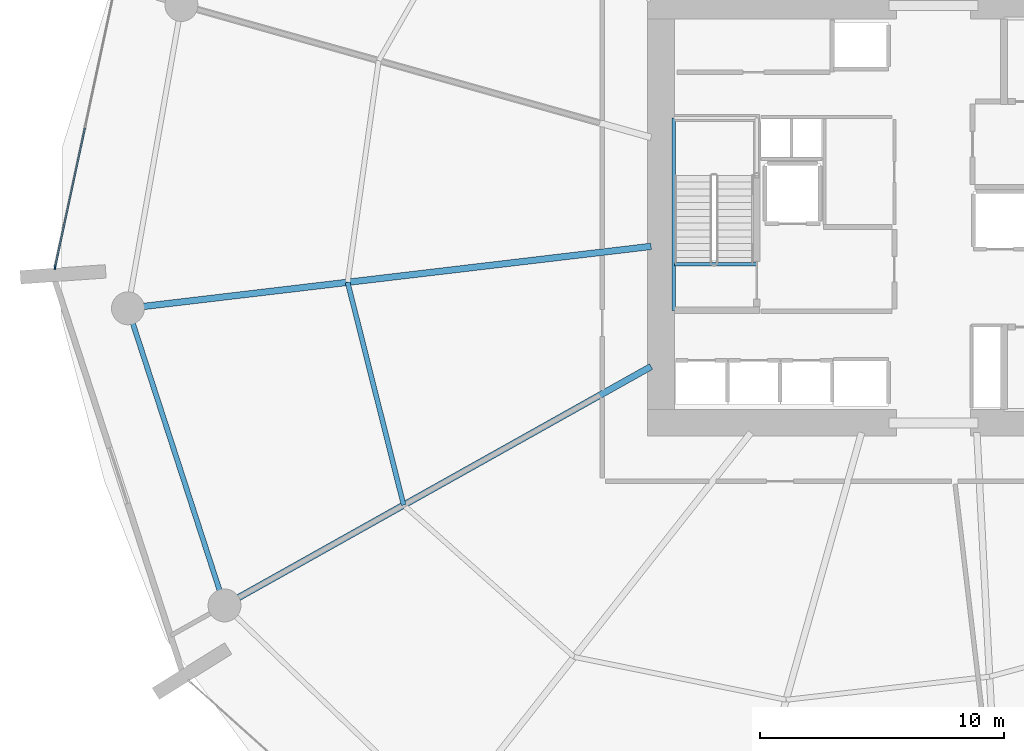
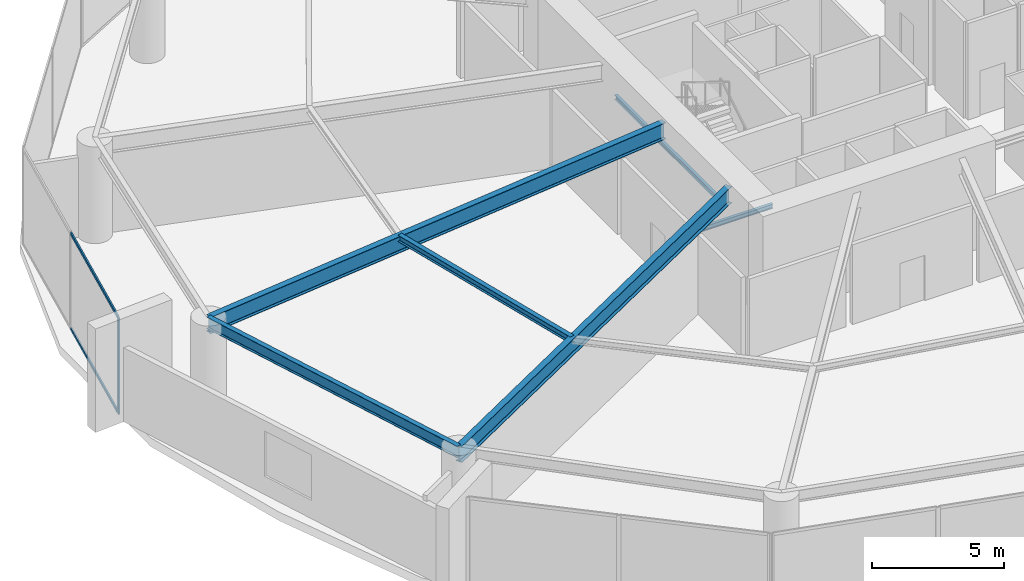
# One storey, part 8 of 22: 6 beams, 3 members, 1 element without a shape of its own.
"""IFC4 building model written with IfcOpenShell, lengths in metres."""

from ifc_helpers import new_model, si_unit, direction, frame, origin, origin_2d, place, context, subcontext, project, spatial, rectangle, i_section, extrude, material, layer, layer_set, material_profile, profile_set, type_object, element, aggregate, save


model = new_model("IFC4")

# Units and contexts
model_context = context("Model", 3, precision=1e-05, world=origin(), true_north=direction((0.0, 1.0)))
body_context = subcontext(model_context, "Body", "Model", "MODEL_VIEW")
ifc_project = project(units=[si_unit("LENGTHUNIT", "METRE"), si_unit("AREAUNIT", "SQUARE_METRE"), si_unit("VOLUMEUNIT", "CUBIC_METRE"), si_unit("PLANEANGLEUNIT", "RADIAN"), si_unit("MASSUNIT", "GRAM", prefix="KILO")], contexts=[model_context])

# Site, building, storey
site_placement = place(None, origin())
site = spatial("IfcSite", under=ifc_project, at=site_placement, CompositionType="ELEMENT")
building_placement = place(site_placement, origin())
building = spatial("IfcBuilding", under=site, at=building_placement, Name="Kazma Halo Residences", CompositionType="ELEMENT")
storey_placement = place(building_placement, frame((0.0, 0.0, 7.199951171875)))
storey = spatial("IfcBuildingStorey", under=building, at=storey_placement, Name="L01", CompositionType="ELEMENT", Elevation=7.199951171875)

# Beams
ifc_material_1 = material(Name="Steel S355", Category="steel")
ifc_material_profile_1 = material_profile(ifc_material_1, i_section(OverallWidth=0.26708984375, OverallDepth=0.761962890625, WebThickness=0.014404296875, FlangeThickness=0.021484375, FilletRadius=0.02001953125, at=origin_2d()), Name="W760x173")
ifc_profile_set_1 = profile_set([ifc_material_profile_1], Name="Steel S355")
beam_type_1 = type_object("IfcBeamType", Name="BM-POD-W760", PredefinedType="BEAM", material=ifc_profile_set_1)
beam_1_placement = place(storey_placement, frame((36.85009765625, 40.680419921875, 4.09912109375), z_axis=(-0.993068228459, -0.117539327996, 0.0), x_axis=(0.117539327996, -0.993068228459, 0.0)))
element("IfcBeam", 1, at=beam_1_placement, inside=storey, type_object=beam_type_1, Name="L01 radial floor beam 08", PredefinedType="BEAM", context=body_context, shape_type="SweptSolid", body=[
    extrude(i_section(OverallWidth=0.26708984375, OverallDepth=0.761962890625, WebThickness=0.014404296875, FlangeThickness=0.021484375, FilletRadius=0.02001953125, at=origin_2d()), origin(), (0.0, 0.0, 1.0), 21.58935546875),
])
beam_2_placement = place(storey_placement, frame((36.85009765625, 35.755615234375, 4.09912109375), z_axis=(-0.872498744017, -0.488616354299, 0.0), x_axis=(0.488616354299, -0.872498744017, 0.0)))
element("IfcBeam", 2, at=beam_2_placement, inside=storey, type_object=beam_type_1, Name="L01 radial floor beam 09", PredefinedType="BEAM", context=body_context, shape_type="SweptSolid", body=[
    extrude(i_section(OverallWidth=0.26708984375, OverallDepth=0.761962890625, WebThickness=0.014404296875, FlangeThickness=0.021484375, FilletRadius=0.02001953125, at=origin_2d()), origin(), (0.0, 0.0, 1.0), 20.037841796875),
])
ifc_material_profile_2 = material_profile(ifc_material_1, i_section(OverallWidth=0.202880859375, OverallDepth=0.302978515625, WebThickness=0.007568359375, FlangeThickness=0.01318359375, FilletRadius=0.013916015625, at=origin_2d()), Name="W310x60")
ifc_profile_set_2 = profile_set([ifc_material_profile_2], Name="Steel S355")
beam_type_2 = type_object("IfcBeamType", Name="BM-SEC-W310A", PredefinedType="JOIST", material=ifc_profile_set_2)
beam_3_placement = place(storey_placement, frame((24.4150390625, 39.20849609375, 4.32861328125), z_axis=(0.243737347729, -0.969841278417, 0.0), x_axis=(0.969841278417, 0.243737347729, 0.0)))
element("IfcBeam", 3, at=beam_3_placement, inside=storey, type_object=beam_type_2, Name="L01 circumferential floor joist 08", PredefinedType="JOIST", context=body_context, shape_type="SweptSolid", body=[
    extrude(i_section(OverallWidth=0.202880859375, OverallDepth=0.302978515625, WebThickness=0.007568359375, FlangeThickness=0.01318359375, FilletRadius=0.013916015625, at=origin_2d()), origin(), (0.0, 0.0, 1.0), 9.41552734375),
])
ifc_material_profile_3 = material_profile(ifc_material_1, i_section(OverallWidth=0.208984375, OverallDepth=0.532958984375, WebThickness=0.01025390625, FlangeThickness=0.015625, FilletRadius=0.01611328125, at=origin_2d()), Name="W530x92")
ifc_profile_set_3 = profile_set([ifc_material_profile_3], Name="Steel S355")
beam_type_3 = type_object("IfcBeamType", Name="BM-SPN-W530", PredefinedType="BEAM", material=ifc_profile_set_3)
beam_4_placement = place(storey_placement, frame((15.410400390625, 38.142822265625, 4.213623046875), z_axis=(0.3090114866, -0.951058305862, 0.0), x_axis=(0.951058305862, 0.3090114866, 0.0)))
element("IfcBeam", 4, at=beam_4_placement, inside=storey, type_object=beam_type_3, Name="L01 perimeter ring beam 08", PredefinedType="BEAM", context=body_context, shape_type="SweptSolid", body=[
    extrude(i_section(OverallWidth=0.208984375, OverallDepth=0.532958984375, WebThickness=0.01025390625, FlangeThickness=0.015625, FilletRadius=0.01611328125, at=origin_2d()), origin(), (0.0, 0.0, 1.0), 12.8046875),
])
ifc_material_profile_4 = material_profile(ifc_material_1, i_section(OverallWidth=0.133056640625, OverallDepth=0.20703125, WebThickness=0.005859375, FlangeThickness=0.00830078125, FilletRadius=0.010009765625, at=origin_2d()), Name="W200x26.6")
ifc_profile_set_4 = profile_set([ifc_material_profile_4], Name="Steel S355")
beam_type_4 = type_object("IfcBeamType", Name="BM-TRIM-W200", PredefinedType="BEAM", material=ifc_profile_set_4)
beam_5_placement = place(storey_placement, frame((37.800048828125, 39.949951171875, -0.510009765625), z_axis=(1.0, 0.0, 0.0), x_axis=(0.0, 1.0, 0.0)))
element("IfcBeam", 5, at=beam_5_placement, inside=storey, type_object=beam_type_4, Name="L01 ST-01 floor landing support beam", PredefinedType="BEAM", context=body_context, shape_type="SweptSolid", body=[
    extrude(i_section(OverallWidth=0.133056640625, OverallDepth=0.20703125, WebThickness=0.005859375, FlangeThickness=0.00830078125, FilletRadius=0.010009765625, at=origin_2d()), origin(), (0.0, 0.0, 1.0), 3.3798828125),
])
beam_6_placement = place(storey_placement, frame((37.780029296875, 38.06005859375, 2.094970703125), z_axis=(0.0, 1.0, 0.0), x_axis=(-1.0, 0.0, 0.0)))
element("IfcBeam", 6, at=beam_6_placement, inside=storey, type_object=beam_type_4, Name="L01 ST-01 landing west wall ledger", PredefinedType="BEAM", context=body_context, shape_type="SweptSolid", body=[
    extrude(i_section(OverallWidth=0.133056640625, OverallDepth=0.20703125, WebThickness=0.005859375, FlangeThickness=0.00830078125, FilletRadius=0.010009765625, at=origin_2d()), origin(), (0.0, 0.0, 1.0), 7.8798828125),
])

# Curtain wall, members
ifc_material_2 = material(Name="Aluminium AW-6063 T6 and Triple-Silver Low-E Glass", Category="aluminium")
ifc_layer = layer(ifc_material_2, 0.179931640625)
ifc_layer_set = layer_set([ifc_layer], Name="Aluminium AW-6063 T6 and Triple-Silver Low-E Glass")
curtain_wall_type = type_object("IfcCurtainWallType", Name="CW-SYS-1", PredefinedType="NOTDEFINED", material=ifc_layer_set)
curtain_wall_placement = place(storey_placement, origin())
curtain_wall = element("IfcCurtainWall", 7, at=curtain_wall_placement, inside=storey, type_object=curtain_wall_type, Name="L01 unitised curtain wall B07", PredefinedType="NOTDEFINED")
ifc_material_3 = material(Name="Aluminium AW-6063 T6", Category="aluminium")
ifc_material_profile_5 = material_profile(ifc_material_3, rectangle(XDim=0.06494140625, YDim=0.179931640625, at=origin_2d()), Name="CWM-65x180")
ifc_profile_set_5 = profile_set([ifc_material_profile_5], Name="Aluminium AW-6063 T6")
member_type_1 = type_object("IfcMemberType", Name="CW-SYS-1-MUL", PredefinedType="MULLION", material=ifc_profile_set_5)
member_1_placement = place(storey_placement, frame((12.426025390625, 39.824462890625, 0.0), z_axis=(0.0, 0.0, 1.0), x_axis=(0.977788157631, -0.209595607771, 0.0)))
member_1 = element("IfcMember", 8, at=member_1_placement, type_object=member_type_1, Name="CWS-1 mullion 3", PredefinedType="MULLION", context=body_context, shape_type="SweptSolid", body=[
    extrude(rectangle(XDim=0.06494140625, YDim=0.179931640625, at=origin_2d()), origin(), (0.0, 0.0, 1.0), 4.47998046875),
])
ifc_material_profile_6 = material_profile(ifc_material_3, rectangle(XDim=0.06494140625, YDim=0.135009765625, at=origin_2d()), Name="CWT-65x135")
ifc_profile_set_6 = profile_set([ifc_material_profile_6], Name="Aluminium AW-6063 T6")
member_type_2 = type_object("IfcMemberType", Name="CW-SYS-1-TRN", PredefinedType="USERDEFINED", material=ifc_profile_set_6)
member_2_placement = place(storey_placement, frame((13.649658203125, 45.532958984375, 0.032470703125), z_axis=(-0.209586525071, -0.977790104526, 0.0), x_axis=(0.977790104526, -0.209586525071, 0.0)))
member_2 = element("IfcMember", 9, at=member_2_placement, type_object=member_type_2, Name="CWS-1 transom 2.1", ObjectType="TRANSOM", PredefinedType="USERDEFINED", context=body_context, shape_type="SweptSolid", body=[
    extrude(rectangle(XDim=0.06494140625, YDim=0.135009765625, at=origin_2d()), origin(), (0.0, 0.0, 1.0), 5.8056640625),
])
member_3_placement = place(storey_placement, frame((13.649658203125, 45.532958984375, 4.447509765625), z_axis=(-0.209586525071, -0.977790104526, 0.0), x_axis=(0.977790104526, -0.209586525071, 0.0)))
member_3 = element("IfcMember", 10, at=member_3_placement, type_object=member_type_2, Name="CWS-1 transom 2.2", ObjectType="TRANSOM", PredefinedType="USERDEFINED", context=body_context, shape_type="SweptSolid", body=[
    extrude(rectangle(XDim=0.06494140625, YDim=0.135009765625, at=origin_2d()), origin(), (0.0, 0.0, 1.0), 5.8056640625),
])
aggregate(curtain_wall, [member_1, member_2, member_3])

save(model, "model.ifc")
